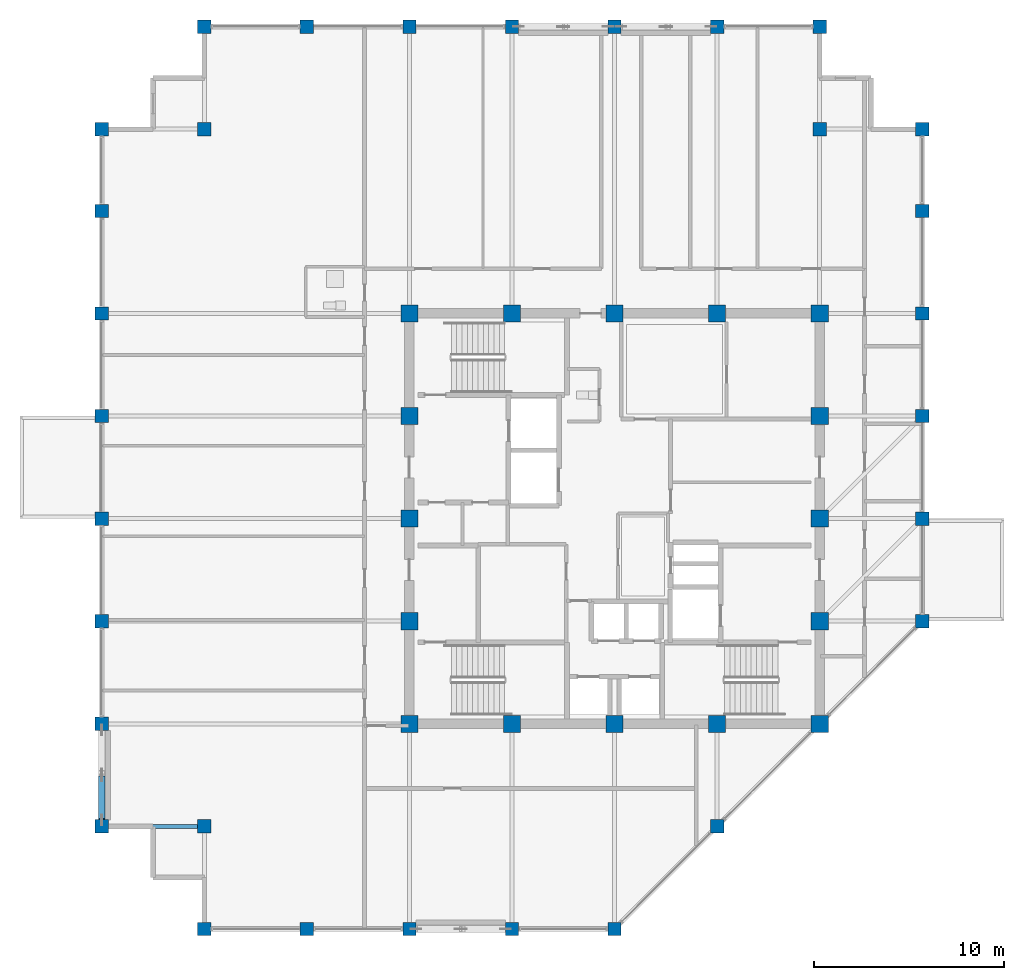
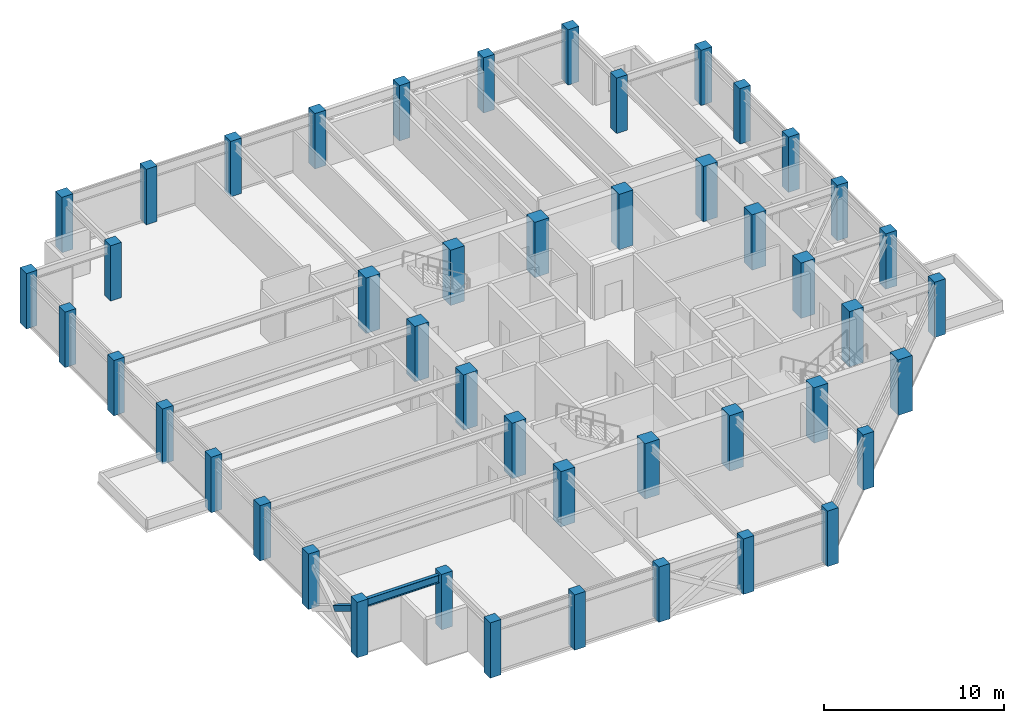
# One storey, part 1 of 29: 46 columns, 1 beam, 1 member.
"""IFC4 building model written with IfcOpenShell, lengths in metres."""

from ifc_helpers import new_model, si_unit, direction, frame, origin, origin_2d, place, context, subcontext, project, spatial, rectangle, hollow_rectangle, i_section, extrude, material, material_profile, profile_set, type_object, element, save


model = new_model("IFC4")

# Units and contexts
model_context = context("Model", 3, precision=1e-05, world=origin(), true_north=direction((0.0, 1.0)))
body_context = subcontext(model_context, "Body", "Model", "MODEL_VIEW")
ifc_project = project(units=[si_unit("LENGTHUNIT", "METRE"), si_unit("AREAUNIT", "SQUARE_METRE"), si_unit("VOLUMEUNIT", "CUBIC_METRE"), si_unit("PLANEANGLEUNIT", "RADIAN"), si_unit("MASSUNIT", "GRAM", prefix="KILO")], contexts=[model_context])

# Site, building, storey
site_placement = place(None, origin())
site = spatial("IfcSite", under=ifc_project, at=site_placement, CompositionType="ELEMENT")
building_placement = place(site_placement, origin())
building = spatial("IfcBuilding", under=site, at=building_placement, Name="Surkhivell Harbour Commons", CompositionType="ELEMENT")
storey_placement = place(building_placement, frame((0.0, 0.0, 326.25)))
storey = spatial("IfcBuildingStorey", under=building, at=storey_placement, Name="L85", CompositionType="ELEMENT", Elevation=326.25)

# Columns
ifc_material_1 = material(Name="Concrete C60/75", Category="concrete")
ifc_material_profile_1 = material_profile(ifc_material_1, rectangle(XDim=0.89990234375, YDim=0.89990234375, at=origin_2d()), Name="RC-COL-900x900")
ifc_profile_set_1 = profile_set([ifc_material_profile_1], Name="Concrete C60/75")
column_type_1 = type_object("IfcColumnType", Name="COL-TUBE-Z3A", PredefinedType="COLUMN", material=ifc_profile_set_1)
for number, where, z_axis, x_axis, name in (
    (1, (-10.800048828125, -10.800048828125, 0.0), (0.0, 0.0, 1.0), (1.0, 0.0, 0.0), "L85 Column CT-3A (-10.8,-10.8)"),
    (2, (-10.800048828125, -5.39990234375, 0.0), (0.0, 0.0, 1.0), (1.0, 0.0, 0.0), "L85 Column CT-3A (-10.8,-5.4)"),
    (3, (-10.800048828125, 0.0, 0.0), (0.0, 0.0, 1.0), (1.0, 0.0, 0.0), "L85 Column CT-3A (-10.8,0.0)"),
    (4, (-10.800048828125, 5.39990234375, 0.0), (0.0, 0.0, 1.0), (1.0, 0.0, 0.0), "L85 Column CT-3A (-10.8,5.4)"),
    (5, (-10.800048828125, 10.800048828125, 0.0), (0.0, 0.0, 1.0), (1.0, 0.0, 0.0), "L85 Column CT-3A (-10.8,10.8)"),
    (6, (-5.39990234375, -10.800048828125, 0.0), (0.0, 0.0, 1.0), (1.0, 0.0, 0.0), "L85 Column CT-3A (-5.4,-10.8)"),
    (7, (-5.39990234375, 10.800048828125, 0.0), (0.0, 0.0, 1.0), (1.0, 0.0, 0.0), "L85 Column CT-3A (-5.4,10.8)"),
    (8, (0.0, -10.800048828125, 0.0), (0.0, 0.0, 1.0), (1.0, 0.0, 0.0), "L85 Column CT-3A (0.0,-10.8)"),
    (9, (0.0, 10.800048828125, 0.0), (0.0, 0.0, 1.0), (1.0, 0.0, 0.0), "L85 Column CT-3A (0.0,10.8)"),
    (10, (5.39990234375, -10.800048828125, 0.0), (0.0, 0.0, 1.0), (1.0, 0.0, 0.0), "L85 Column CT-3A (5.4,-10.8)"),
    (11, (5.39990234375, 10.800048828125, 0.0), (0.0, 0.0, 1.0), (1.0, 0.0, 0.0), "L85 Column CT-3A (5.4,10.8)"),
    (12, (10.800048828125, -10.800048828125, 0.0), (0.0, 0.0, 1.0), (1.0, 0.0, 0.0), "L85 Column CT-3A (10.8,-10.8)"),
    (13, (10.800048828125, -5.39990234375, 0.0), (0.0, 0.0, 1.0), (1.0, 0.0, 0.0), "L85 Column CT-3A (10.8,-5.4)"),
    (14, (10.800048828125, 0.0, 0.0), (0.0, 0.0, 1.0), (1.0, 0.0, 0.0), "L85 Column CT-3A (10.8,0.0)"),
    (15, (10.800048828125, 5.39990234375, 0.0), (0.0, 0.0, 1.0), (1.0, 0.0, 0.0), "L85 Column CT-3A (10.8,5.4)"),
    (16, (10.800048828125, 10.800048828125, 0.0), (0.0, 0.0, 1.0), (1.0, 0.0, 0.0), "L85 Column CT-3A (10.8,10.8)"),
):
    element("IfcColumn", number, at=place(storey_placement, frame(where, z_axis=z_axis, x_axis=x_axis)), inside=storey, type_object=column_type_1, Name=name, PredefinedType="COLUMN", context=body_context, shape_type="SweptSolid", body=[
        extrude(rectangle(XDim=0.89990234375, YDim=0.89990234375, at=origin_2d()), origin(), (0.0, 0.0, 1.0), 3.75),
    ])
ifc_material_2 = material(Name="Concrete C50/60", Category="concrete")
ifc_material_profile_2 = material_profile(ifc_material_2, rectangle(XDim=0.699951171875, YDim=0.699951171875, at=origin_2d()), Name="RC-COL-700x700")
ifc_profile_set_2 = profile_set([ifc_material_profile_2], Name="Concrete C50/60")
column_type_2 = type_object("IfcColumnType", Name="COL-TUBE-Z4", PredefinedType="COLUMN", material=ifc_profile_set_2)
for number, where, z_axis, x_axis, name in (
    (17, (-27.0, -16.199951171875, 0.0), (0.0, 0.0, 1.0), (1.0, 0.0, 0.0), "L85 Column CT-4 (-27.0,-16.2)"),
    (18, (-27.0, -10.800048828125, 0.0), (0.0, 0.0, 1.0), (1.0, 0.0, 0.0), "L85 Column CT-4 (-27.0,-10.8)"),
    (19, (-27.0, -5.39990234375, 0.0), (0.0, 0.0, 1.0), (1.0, 0.0, 0.0), "L85 Column CT-4 (-27.0,-5.4)"),
    (20, (-27.0, 0.0, 0.0), (0.0, 0.0, 1.0), (1.0, 0.0, 0.0), "L85 Column CT-4 (-27.0,0.0)"),
    (21, (-27.0, 5.39990234375, 0.0), (0.0, 0.0, 1.0), (1.0, 0.0, 0.0), "L85 Column CT-4 (-27.0,5.4)"),
    (22, (-27.0, 10.800048828125, 0.0), (0.0, 0.0, 1.0), (1.0, 0.0, 0.0), "L85 Column CT-4 (-27.0,10.8)"),
    (23, (-27.0, 16.199951171875, 0.0), (0.0, 0.0, 1.0), (1.0, 0.0, 0.0), "L85 Column CT-4 (-27.0,16.2)"),
    (24, (-27.0, 20.5, 0.0), (0.0, 0.0, 1.0), (1.0, 0.0, 0.0), "L85 Column CT-4 (-27.0,20.5)"),
    (25, (-21.60009765625, -21.60009765625, 0.0), (0.0, 0.0, 1.0), (1.0, 0.0, 0.0), "L85 Column CT-4 (-21.6,-21.6)"),
    (26, (-21.60009765625, -16.199951171875, 0.0), (0.0, 0.0, 1.0), (1.0, 0.0, 0.0), "L85 Column CT-4 (-21.6,-16.2)"),
    (27, (-21.60009765625, 20.5, 0.0), (0.0, 0.0, 1.0), (1.0, 0.0, 0.0), "L85 Column CT-4 (-21.6,20.5)"),
    (28, (-21.60009765625, 25.89990234375, 0.0), (0.0, 0.0, 1.0), (1.0, 0.0, 0.0), "L85 Column CT-4 (-21.6,25.9)"),
    (29, (-16.199951171875, -21.60009765625, 0.0), (0.0, 0.0, 1.0), (1.0, 0.0, 0.0), "L85 Column CT-4 (-16.2,-21.6)"),
    (30, (-16.199951171875, 25.89990234375, 0.0), (0.0, 0.0, 1.0), (1.0, 0.0, 0.0), "L85 Column CT-4 (-16.2,25.9)"),
    (31, (-10.800048828125, -21.60009765625, 0.0), (0.0, 0.0, 1.0), (1.0, 0.0, 0.0), "L85 Column CT-4 (-10.8,-21.6)"),
    (32, (-10.800048828125, 25.89990234375, 0.0), (0.0, 0.0, 1.0), (1.0, 0.0, 0.0), "L85 Column CT-4 (-10.8,25.9)"),
    (33, (-5.39990234375, -21.60009765625, 0.0), (0.0, 0.0, 1.0), (1.0, 0.0, 0.0), "L85 Column CT-4 (-5.4,-21.6)"),
    (34, (-5.39990234375, 25.89990234375, 0.0), (0.0, 0.0, 1.0), (1.0, 0.0, 0.0), "L85 Column CT-4 (-5.4,25.9)"),
    (35, (0.0, -21.60009765625, 0.0), (0.0, 0.0, 1.0), (1.0, 0.0, 0.0), "L85 Column CT-4 (-0.0,-21.6)"),
    (36, (0.0, 25.89990234375, 0.0), (0.0, 0.0, 1.0), (1.0, 0.0, 0.0), "L85 Column CT-4 (-0.0,25.9)"),
    (37, (5.39990234375, -16.199951171875, 0.0), (0.0, 0.0, 1.0), (1.0, 0.0, 0.0), "L85 Column CT-4 (5.4,-16.2)"),
    (38, (5.39990234375, 25.89990234375, 0.0), (0.0, 0.0, 1.0), (1.0, 0.0, 0.0), "L85 Column CT-4 (5.4,25.9)"),
    (39, (10.800048828125, 20.5, 0.0), (0.0, 0.0, 1.0), (1.0, 0.0, 0.0), "L85 Column CT-4 (10.8,20.5)"),
    (40, (10.800048828125, 25.89990234375, 0.0), (0.0, 0.0, 1.0), (1.0, 0.0, 0.0), "L85 Column CT-4 (10.8,25.9)"),
    (41, (16.199951171875, -5.39990234375, 0.0), (0.0, 0.0, 1.0), (1.0, 0.0, 0.0), "L85 Column CT-4 (16.2,-5.4)"),
    (42, (16.199951171875, 0.0, 0.0), (0.0, 0.0, 1.0), (1.0, 0.0, 0.0), "L85 Column CT-4 (16.2,0.0)"),
    (43, (16.199951171875, 5.39990234375, 0.0), (0.0, 0.0, 1.0), (1.0, 0.0, 0.0), "L85 Column CT-4 (16.2,5.4)"),
    (44, (16.199951171875, 10.800048828125, 0.0), (0.0, 0.0, 1.0), (1.0, 0.0, 0.0), "L85 Column CT-4 (16.2,10.8)"),
    (45, (16.199951171875, 16.199951171875, 0.0), (0.0, 0.0, 1.0), (1.0, 0.0, 0.0), "L85 Column CT-4 (16.2,16.2)"),
    (46, (16.199951171875, 20.5, 0.0), (0.0, 0.0, 1.0), (1.0, 0.0, 0.0), "L85 Column CT-4 (16.2,20.5)"),
):
    element("IfcColumn", number, at=place(storey_placement, frame(where, z_axis=z_axis, x_axis=x_axis)), inside=storey, type_object=column_type_2, Name=name, PredefinedType="COLUMN", context=body_context, shape_type="SweptSolid", body=[
        extrude(rectangle(XDim=0.699951171875, YDim=0.699951171875, at=origin_2d()), origin(), (0.0, 0.0, 1.0), 3.75),
    ])

# Beam
ifc_material_3 = material(Name="Steel S355", Category="steel")
ifc_material_profile_3 = material_profile(ifc_material_3, i_section(OverallWidth=0.2099609375, OverallDepth=0.537109375, WebThickness=0.0107421875, FlangeThickness=0.017333984375, at=origin_2d()), Name="UB533x210x101")
ifc_profile_set_3 = profile_set([ifc_material_profile_3], Name="Steel S355")
beam_type = type_object("IfcBeamType", Name="BM-GRD-533B", PredefinedType="BEAM", material=ifc_profile_set_3)
beam_placement = place(storey_placement, frame((-27.0, -16.199951171875, 3.301513671875), z_axis=(1.0, 0.0, 0.0), x_axis=(0.0, 1.0, 0.0)))
element("IfcBeam", 47, at=beam_placement, inside=storey, type_object=beam_type, Name="L85 Floor Girder (-27.0,-16.2)", PredefinedType="BEAM", context=body_context, shape_type="SweptSolid", body=[
    extrude(i_section(OverallWidth=0.2099609375, OverallDepth=0.537109375, WebThickness=0.0107421875, FlangeThickness=0.017333984375, at=origin_2d()), origin(), (0.0, 0.0, 1.0), 5.39990234375),
])

# Member
ifc_material_profile_4 = material_profile(ifc_material_3, hollow_rectangle(XDim=0.35009765625, YDim=0.35009765625, WallThickness=0.01611328125, at=origin_2d()), Name="SHS350x350x16")
ifc_profile_set_4 = profile_set([ifc_material_profile_4], Name="Steel S355")
member_type = type_object("IfcMemberType", Name="MEM-BRC-SHS350", PredefinedType="BRACE", material=ifc_profile_set_4)
member_placement = place(storey_placement, frame((-27.0, -13.6435546875, 1.53173828125), z_axis=(0.0, -0.854678858595, 0.51915705588), x_axis=(1.0, 0.0, 0.0)))
element("IfcMember", 48, at=member_placement, inside=storey, type_object=member_type, Name="L85 Perimeter Mega-Brace MB- 12", PredefinedType="BRACE", context=body_context, shape_type="SweptSolid", body=[
    extrude(hollow_rectangle(XDim=0.35009765625, YDim=0.35009765625, WallThickness=0.01611328125, at=origin_2d()), origin(), (0.0, 0.0, 1.0), 2.59912109375),
])

save(model, "model.ifc")
